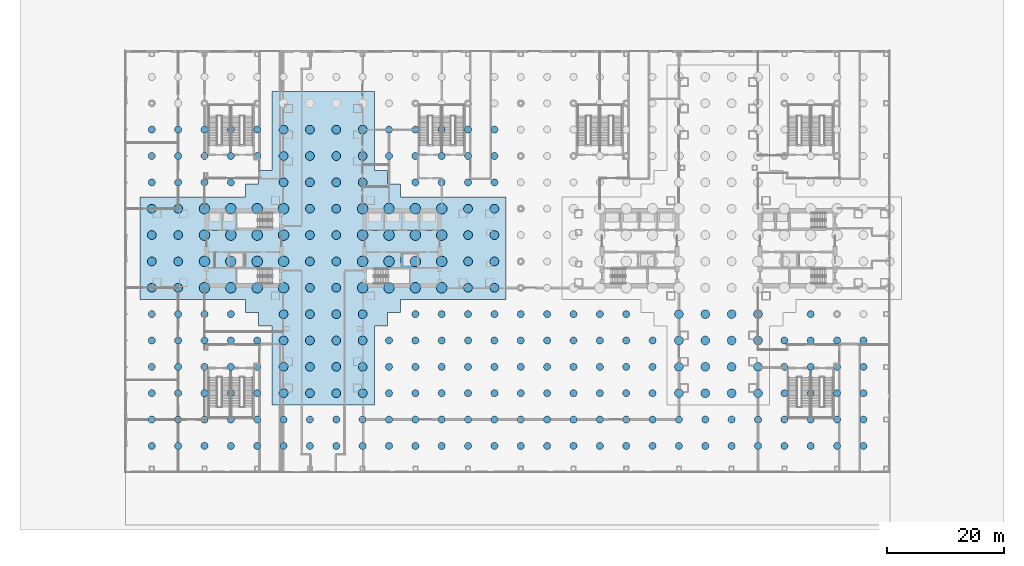
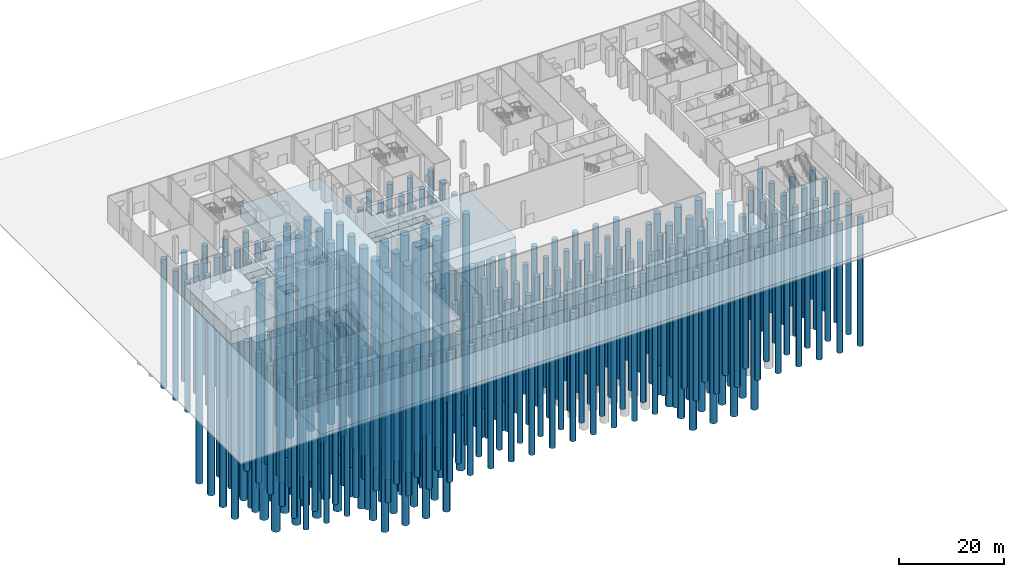
# One storey, part 1 of 37: 258 piles, 5 footings.
"""IFC4 building model written with IfcOpenShell, lengths in metres."""

from ifc_helpers import new_model, si_unit, direction, frame, origin, origin_2d, place, context, subcontext, project, spatial, polyline, circle, outline, extrude, material, layer, layer_set, material_profile, profile_set, type_object, element, save


model = new_model("IFC4")

# Units and contexts
model_context = context("Model", 3, precision=1e-05, world=origin(), true_north=direction((0.0, 1.0)))
body_context = subcontext(model_context, "Body", "Model", "MODEL_VIEW")
ifc_project = project(units=[si_unit("LENGTHUNIT", "METRE"), si_unit("AREAUNIT", "SQUARE_METRE"), si_unit("VOLUMEUNIT", "CUBIC_METRE"), si_unit("PLANEANGLEUNIT", "RADIAN"), si_unit("MASSUNIT", "GRAM", prefix="KILO")], contexts=[model_context])

# Site, building, storey
site_placement = place(None, origin())
site = spatial("IfcSite", under=ifc_project, at=site_placement, CompositionType="ELEMENT")
building_placement = place(site_placement, origin())
building = spatial("IfcBuilding", under=site, at=building_placement, Name="Shamsa Quay Exchange Towers", CompositionType="ELEMENT")
storey_placement = place(building_placement, origin())
storey = spatial("IfcBuildingStorey", under=building, at=storey_placement, Name="L00", CompositionType="ELEMENT", Elevation=0.0)

# Piles
ifc_material = material(Name="Concrete C40/50", Category="concrete")
ifc_material_profile_1 = material_profile(ifc_material, circle(Radius=0.60009765625, at=origin_2d()), Name="BP1200")
ifc_profile_set_1 = profile_set([ifc_material_profile_1], Name="Concrete C40/50")
pile_type_1 = type_object("IfcPileType", Name="Bored pile 1200", PredefinedType="BORED", material=ifc_profile_set_1)
for number, where, z_axis, x_axis, name in (
    (1, (-63.0, -33.75, -1.550048828125), (0.0, 0.0, -1.0), (1.0, 0.0, 0.0), "Bored pile PD1 1"),
    (2, (-63.0, -29.25, -1.550048828125), (0.0, 0.0, -1.0), (1.0, 0.0, 0.0), "Bored pile PD1 2"),
    (3, (-63.0, -24.75, -1.550048828125), (0.0, 0.0, -1.0), (1.0, 0.0, 0.0), "Bored pile PD1 3"),
    (4, (-63.0, -20.25, -1.550048828125), (0.0, 0.0, -1.0), (1.0, 0.0, 0.0), "Bored pile PD1 4"),
    (5, (-63.0, -15.75, -1.550048828125), (0.0, 0.0, -1.0), (1.0, 0.0, 0.0), "Bored pile PD1 5"),
    (6, (-63.0, -11.25, -1.550048828125), (0.0, 0.0, -1.0), (1.0, 0.0, 0.0), "Bored pile PD1 6"),
    (7, (-63.0, 11.25, -1.550048828125), (0.0, 0.0, -1.0), (1.0, 0.0, 0.0), "Bored pile PD1 7"),
    (8, (-63.0, 15.75, -1.550048828125), (0.0, 0.0, -1.0), (1.0, 0.0, 0.0), "Bored pile PD1 8"),
    (9, (-63.0, 20.25, -1.550048828125), (0.0, 0.0, -1.0), (1.0, 0.0, 0.0), "Bored pile PD1 9"),
    (10, (-58.5, -33.75, -1.550048828125), (0.0, 0.0, -1.0), (1.0, 0.0, 0.0), "Bored pile PD1 12"),
    (11, (-58.5, -29.25, -1.550048828125), (0.0, 0.0, -1.0), (1.0, 0.0, 0.0), "Bored pile PD1 13"),
    (12, (-58.5, -24.75, -1.550048828125), (0.0, 0.0, -1.0), (1.0, 0.0, 0.0), "Bored pile PD1 14"),
    (13, (-58.5, -20.25, -1.550048828125), (0.0, 0.0, -1.0), (1.0, 0.0, 0.0), "Bored pile PD1 15"),
    (14, (-58.5, -15.75, -1.550048828125), (0.0, 0.0, -1.0), (1.0, 0.0, 0.0), "Bored pile PD1 16"),
    (15, (-58.5, -11.25, -1.550048828125), (0.0, 0.0, -1.0), (1.0, 0.0, 0.0), "Bored pile PD1 17"),
    (16, (-58.5, 11.25, -1.550048828125), (0.0, 0.0, -1.0), (1.0, 0.0, 0.0), "Bored pile PD1 18"),
    (17, (-58.5, 15.75, -1.550048828125), (0.0, 0.0, -1.0), (1.0, 0.0, 0.0), "Bored pile PD1 19"),
    (18, (-58.5, 20.25, -1.550048828125), (0.0, 0.0, -1.0), (1.0, 0.0, 0.0), "Bored pile PD1 20"),
    (19, (-54.0, -33.75, -1.550048828125), (0.0, 0.0, -1.0), (1.0, 0.0, 0.0), "Bored pile PD1 23"),
    (20, (-54.0, -29.25, -1.550048828125), (0.0, 0.0, -1.0), (1.0, 0.0, 0.0), "Bored pile PD1 24"),
    (21, (-54.0, -24.75, -1.550048828125), (0.0, 0.0, -1.0), (1.0, 0.0, 0.0), "Bored pile PD1 25"),
    (22, (-54.0, -20.25, -1.550048828125), (0.0, 0.0, -1.0), (1.0, 0.0, 0.0), "Bored pile PD1 26"),
    (23, (-54.0, -15.75, -1.550048828125), (0.0, 0.0, -1.0), (1.0, 0.0, 0.0), "Bored pile PD1 27"),
    (24, (-54.0, -11.25, -1.550048828125), (0.0, 0.0, -1.0), (1.0, 0.0, 0.0), "Bored pile PD1 28"),
    (25, (-54.0, 11.25, -1.550048828125), (0.0, 0.0, -1.0), (1.0, 0.0, 0.0), "Bored pile PD1 29"),
    (26, (-54.0, 15.75, -1.550048828125), (0.0, 0.0, -1.0), (1.0, 0.0, 0.0), "Bored pile PD1 30"),
    (27, (-54.0, 20.25, -1.550048828125), (0.0, 0.0, -1.0), (1.0, 0.0, 0.0), "Bored pile PD1 31"),
    (28, (-49.5, -33.75, -1.550048828125), (0.0, 0.0, -1.0), (1.0, 0.0, 0.0), "Bored pile PD1 34"),
    (29, (-49.5, -29.25, -1.550048828125), (0.0, 0.0, -1.0), (1.0, 0.0, 0.0), "Bored pile PD1 35"),
    (30, (-49.5, -24.75, -1.550048828125), (0.0, 0.0, -1.0), (1.0, 0.0, 0.0), "Bored pile PD1 36"),
    (31, (-49.5, -20.25, -1.550048828125), (0.0, 0.0, -1.0), (1.0, 0.0, 0.0), "Bored pile PD1 37"),
    (32, (-49.5, -15.75, -1.550048828125), (0.0, 0.0, -1.0), (1.0, 0.0, 0.0), "Bored pile PD1 38"),
    (33, (-49.5, -11.25, -1.550048828125), (0.0, 0.0, -1.0), (1.0, 0.0, 0.0), "Bored pile PD1 39"),
    (34, (-49.5, 11.25, -1.550048828125), (0.0, 0.0, -1.0), (1.0, 0.0, 0.0), "Bored pile PD1 40"),
    (35, (-49.5, 15.75, -1.550048828125), (0.0, 0.0, -1.0), (1.0, 0.0, 0.0), "Bored pile PD1 41"),
    (36, (-49.5, 20.25, -1.550048828125), (0.0, 0.0, -1.0), (1.0, 0.0, 0.0), "Bored pile PD1 42"),
    (37, (-45.0, -33.75, -1.550048828125), (0.0, 0.0, -1.0), (1.0, 0.0, 0.0), "Bored pile PD1 45"),
    (38, (-45.0, -29.25, -1.550048828125), (0.0, 0.0, -1.0), (1.0, 0.0, 0.0), "Bored pile PD1 46"),
    (39, (-45.0, -24.75, -1.550048828125), (0.0, 0.0, -1.0), (1.0, 0.0, 0.0), "Bored pile PD1 47"),
    (40, (-45.0, -20.25, -1.550048828125), (0.0, 0.0, -1.0), (1.0, 0.0, 0.0), "Bored pile PD1 48"),
    (41, (-45.0, -15.75, -1.550048828125), (0.0, 0.0, -1.0), (1.0, 0.0, 0.0), "Bored pile PD1 49"),
    (42, (-45.0, 15.75, -1.550048828125), (0.0, 0.0, -1.0), (1.0, 0.0, 0.0), "Bored pile PD1 50"),
    (43, (-45.0, 20.25, -1.550048828125), (0.0, 0.0, -1.0), (1.0, 0.0, 0.0), "Bored pile PD1 51"),
    (44, (-40.5, -33.75, -1.550048828125), (0.0, 0.0, -1.0), (1.0, 0.0, 0.0), "Bored pile PD1 54"),
    (45, (-40.5, -29.25, -1.550048828125), (0.0, 0.0, -1.0), (1.0, 0.0, 0.0), "Bored pile PD1 55"),
    (46, (-36.0, -33.75, -1.550048828125), (0.0, 0.0, -1.0), (1.0, 0.0, 0.0), "Bored pile PD1 57"),
    (47, (-36.0, -29.25, -1.550048828125), (0.0, 0.0, -1.0), (1.0, 0.0, 0.0), "Bored pile PD1 58"),
    (48, (-31.5, -33.75, -1.550048828125), (0.0, 0.0, -1.0), (1.0, 0.0, 0.0), "Bored pile PD1 60"),
    (49, (-31.5, -29.25, -1.550048828125), (0.0, 0.0, -1.0), (1.0, 0.0, 0.0), "Bored pile PD1 61"),
    (50, (-27.0, -33.75, -1.550048828125), (0.0, 0.0, -1.0), (1.0, 0.0, 0.0), "Bored pile PD1 63"),
    (51, (-27.0, -29.25, -1.550048828125), (0.0, 0.0, -1.0), (1.0, 0.0, 0.0), "Bored pile PD1 64"),
    (52, (-22.5, -33.75, -1.550048828125), (0.0, 0.0, -1.0), (1.0, 0.0, 0.0), "Bored pile PD1 66"),
    (53, (-22.5, -29.25, -1.550048828125), (0.0, 0.0, -1.0), (1.0, 0.0, 0.0), "Bored pile PD1 67"),
    (54, (-22.5, -24.75, -1.550048828125), (0.0, 0.0, -1.0), (1.0, 0.0, 0.0), "Bored pile PD1 68"),
    (55, (-22.5, -20.25, -1.550048828125), (0.0, 0.0, -1.0), (1.0, 0.0, 0.0), "Bored pile PD1 69"),
    (56, (-22.5, -15.75, -1.550048828125), (0.0, 0.0, -1.0), (1.0, 0.0, 0.0), "Bored pile PD1 70"),
    (57, (-22.5, 15.75, -1.550048828125), (0.0, 0.0, -1.0), (1.0, 0.0, 0.0), "Bored pile PD1 71"),
    (58, (-22.5, 20.25, -1.550048828125), (0.0, 0.0, -1.0), (1.0, 0.0, 0.0), "Bored pile PD1 72"),
    (59, (-18.0, -33.75, -1.550048828125), (0.0, 0.0, -1.0), (1.0, 0.0, 0.0), "Bored pile PD1 75"),
    (60, (-18.0, -29.25, -1.550048828125), (0.0, 0.0, -1.0), (1.0, 0.0, 0.0), "Bored pile PD1 76"),
    (61, (-18.0, -24.75, -1.550048828125), (0.0, 0.0, -1.0), (1.0, 0.0, 0.0), "Bored pile PD1 77"),
    (62, (-18.0, -20.25, -1.550048828125), (0.0, 0.0, -1.0), (1.0, 0.0, 0.0), "Bored pile PD1 78"),
    (63, (-18.0, -15.75, -1.550048828125), (0.0, 0.0, -1.0), (1.0, 0.0, 0.0), "Bored pile PD1 79"),
    (64, (-18.0, -11.25, -1.550048828125), (0.0, 0.0, -1.0), (1.0, 0.0, 0.0), "Bored pile PD1 80"),
    (65, (-18.0, 11.25, -1.550048828125), (0.0, 0.0, -1.0), (1.0, 0.0, 0.0), "Bored pile PD1 81"),
    (66, (-18.0, 15.75, -1.550048828125), (0.0, 0.0, -1.0), (1.0, 0.0, 0.0), "Bored pile PD1 82"),
    (67, (-18.0, 20.25, -1.550048828125), (0.0, 0.0, -1.0), (1.0, 0.0, 0.0), "Bored pile PD1 83"),
    (68, (-13.5, -33.75, -1.550048828125), (0.0, 0.0, -1.0), (1.0, 0.0, 0.0), "Bored pile PD1 86"),
    (69, (-13.5, -29.25, -1.550048828125), (0.0, 0.0, -1.0), (1.0, 0.0, 0.0), "Bored pile PD1 87"),
    (70, (-13.5, -24.75, -1.550048828125), (0.0, 0.0, -1.0), (1.0, 0.0, 0.0), "Bored pile PD1 88"),
    (71, (-13.5, -20.25, -1.550048828125), (0.0, 0.0, -1.0), (1.0, 0.0, 0.0), "Bored pile PD1 89"),
    (72, (-13.5, -15.75, -1.550048828125), (0.0, 0.0, -1.0), (1.0, 0.0, 0.0), "Bored pile PD1 90"),
    (73, (-13.5, -11.25, -1.550048828125), (0.0, 0.0, -1.0), (1.0, 0.0, 0.0), "Bored pile PD1 91"),
    (74, (-13.5, 11.25, -1.550048828125), (0.0, 0.0, -1.0), (1.0, 0.0, 0.0), "Bored pile PD1 92"),
    (75, (-13.5, 15.75, -1.550048828125), (0.0, 0.0, -1.0), (1.0, 0.0, 0.0), "Bored pile PD1 93"),
    (76, (-13.5, 20.25, -1.550048828125), (0.0, 0.0, -1.0), (1.0, 0.0, 0.0), "Bored pile PD1 94"),
    (77, (-9.0, -33.75, -1.550048828125), (0.0, 0.0, -1.0), (1.0, 0.0, 0.0), "Bored pile PD1 97"),
    (78, (-9.0, -29.25, -1.550048828125), (0.0, 0.0, -1.0), (1.0, 0.0, 0.0), "Bored pile PD1 98"),
    (79, (-9.0, -24.75, -1.550048828125), (0.0, 0.0, -1.0), (1.0, 0.0, 0.0), "Bored pile PD1 99"),
    (80, (-9.0, -20.25, -1.550048828125), (0.0, 0.0, -1.0), (1.0, 0.0, 0.0), "Bored pile PD1 100"),
    (81, (-9.0, -15.75, -1.550048828125), (0.0, 0.0, -1.0), (1.0, 0.0, 0.0), "Bored pile PD1 101"),
    (82, (-9.0, -11.25, -1.550048828125), (0.0, 0.0, -1.0), (1.0, 0.0, 0.0), "Bored pile PD1 102"),
    (83, (-9.0, 11.25, -1.550048828125), (0.0, 0.0, -1.0), (1.0, 0.0, 0.0), "Bored pile PD1 103"),
    (84, (-9.0, 15.75, -1.550048828125), (0.0, 0.0, -1.0), (1.0, 0.0, 0.0), "Bored pile PD1 104"),
    (85, (-9.0, 20.25, -1.550048828125), (0.0, 0.0, -1.0), (1.0, 0.0, 0.0), "Bored pile PD1 105"),
    (86, (-4.5, -33.75, -1.550048828125), (0.0, 0.0, -1.0), (1.0, 0.0, 0.0), "Bored pile PD1 108"),
    (87, (-4.5, -29.25, -1.550048828125), (0.0, 0.0, -1.0), (1.0, 0.0, 0.0), "Bored pile PD1 109"),
    (88, (-4.5, -24.75, -1.550048828125), (0.0, 0.0, -1.0), (1.0, 0.0, 0.0), "Bored pile PD1 110"),
    (89, (-4.5, -20.25, -1.550048828125), (0.0, 0.0, -1.0), (1.0, 0.0, 0.0), "Bored pile PD1 111"),
    (90, (-4.5, -15.75, -1.550048828125), (0.0, 0.0, -1.0), (1.0, 0.0, 0.0), "Bored pile PD1 112"),
    (91, (-4.5, -11.25, -1.550048828125), (0.0, 0.0, -1.0), (1.0, 0.0, 0.0), "Bored pile PD1 113"),
    (92, (-4.5, 11.25, -1.550048828125), (0.0, 0.0, -1.0), (1.0, 0.0, 0.0), "Bored pile PD1 114"),
    (93, (-4.5, 15.75, -1.550048828125), (0.0, 0.0, -1.0), (1.0, 0.0, 0.0), "Bored pile PD1 115"),
    (94, (-4.5, 20.25, -1.550048828125), (0.0, 0.0, -1.0), (1.0, 0.0, 0.0), "Bored pile PD1 116"),
    (95, (0.0, -33.75, -1.550048828125), (0.0, 0.0, -1.0), (1.0, 0.0, 0.0), "Bored pile PD1 119"),
    (96, (0.0, -29.25, -1.550048828125), (0.0, 0.0, -1.0), (1.0, 0.0, 0.0), "Bored pile PD1 120"),
    (97, (0.0, -24.75, -1.550048828125), (0.0, 0.0, -1.0), (1.0, 0.0, 0.0), "Bored pile PD1 121"),
    (98, (0.0, -20.25, -1.550048828125), (0.0, 0.0, -1.0), (1.0, 0.0, 0.0), "Bored pile PD1 122"),
    (99, (0.0, -15.75, -1.550048828125), (0.0, 0.0, -1.0), (1.0, 0.0, 0.0), "Bored pile PD1 123"),
    (100, (0.0, -11.25, -1.550048828125), (0.0, 0.0, -1.0), (1.0, 0.0, 0.0), "Bored pile PD1 124"),
    (101, (4.5, -33.75, -1.550048828125), (0.0, 0.0, -1.0), (1.0, 0.0, 0.0), "Bored pile PD1 134"),
    (102, (4.5, -29.25, -1.550048828125), (0.0, 0.0, -1.0), (1.0, 0.0, 0.0), "Bored pile PD1 135"),
    (103, (4.5, -24.75, -1.550048828125), (0.0, 0.0, -1.0), (1.0, 0.0, 0.0), "Bored pile PD1 136"),
    (104, (4.5, -20.25, -1.550048828125), (0.0, 0.0, -1.0), (1.0, 0.0, 0.0), "Bored pile PD1 137"),
    (105, (4.5, -15.75, -1.550048828125), (0.0, 0.0, -1.0), (1.0, 0.0, 0.0), "Bored pile PD1 138"),
    (106, (4.5, -11.25, -1.550048828125), (0.0, 0.0, -1.0), (1.0, 0.0, 0.0), "Bored pile PD1 139"),
    (107, (9.0, -33.75, -1.550048828125), (0.0, 0.0, -1.0), (1.0, 0.0, 0.0), "Bored pile PD1 149"),
    (108, (9.0, -29.25, -1.550048828125), (0.0, 0.0, -1.0), (1.0, 0.0, 0.0), "Bored pile PD1 150"),
    (109, (9.0, -24.75, -1.550048828125), (0.0, 0.0, -1.0), (1.0, 0.0, 0.0), "Bored pile PD1 151"),
    (110, (9.0, -20.25, -1.550048828125), (0.0, 0.0, -1.0), (1.0, 0.0, 0.0), "Bored pile PD1 152"),
    (111, (9.0, -15.75, -1.550048828125), (0.0, 0.0, -1.0), (1.0, 0.0, 0.0), "Bored pile PD1 153"),
    (112, (9.0, -11.25, -1.550048828125), (0.0, 0.0, -1.0), (1.0, 0.0, 0.0), "Bored pile PD1 154"),
    (113, (13.5, -33.75, -1.550048828125), (0.0, 0.0, -1.0), (1.0, 0.0, 0.0), "Bored pile PD1 160"),
    (114, (13.5, -29.25, -1.550048828125), (0.0, 0.0, -1.0), (1.0, 0.0, 0.0), "Bored pile PD1 161"),
    (115, (13.5, -24.75, -1.550048828125), (0.0, 0.0, -1.0), (1.0, 0.0, 0.0), "Bored pile PD1 162"),
    (116, (13.5, -20.25, -1.550048828125), (0.0, 0.0, -1.0), (1.0, 0.0, 0.0), "Bored pile PD1 163"),
    (117, (13.5, -15.75, -1.550048828125), (0.0, 0.0, -1.0), (1.0, 0.0, 0.0), "Bored pile PD1 164"),
    (118, (13.5, -11.25, -1.550048828125), (0.0, 0.0, -1.0), (1.0, 0.0, 0.0), "Bored pile PD1 165"),
    (119, (18.0, -33.75, -1.550048828125), (0.0, 0.0, -1.0), (1.0, 0.0, 0.0), "Bored pile PD1 171"),
    (120, (18.0, -29.25, -1.550048828125), (0.0, 0.0, -1.0), (1.0, 0.0, 0.0), "Bored pile PD1 172"),
    (121, (18.0, -24.75, -1.550048828125), (0.0, 0.0, -1.0), (1.0, 0.0, 0.0), "Bored pile PD1 173"),
    (122, (18.0, -20.25, -1.550048828125), (0.0, 0.0, -1.0), (1.0, 0.0, 0.0), "Bored pile PD1 174"),
    (123, (18.0, -15.75, -1.550048828125), (0.0, 0.0, -1.0), (1.0, 0.0, 0.0), "Bored pile PD1 175"),
    (124, (18.0, -11.25, -1.550048828125), (0.0, 0.0, -1.0), (1.0, 0.0, 0.0), "Bored pile PD1 176"),
    (125, (22.5, -33.75, -1.550048828125), (0.0, 0.0, -1.0), (1.0, 0.0, 0.0), "Bored pile PD1 182"),
    (126, (22.5, -29.25, -1.550048828125), (0.0, 0.0, -1.0), (1.0, 0.0, 0.0), "Bored pile PD1 183"),
    (127, (22.5, -24.75, -1.550048828125), (0.0, 0.0, -1.0), (1.0, 0.0, 0.0), "Bored pile PD1 184"),
    (128, (22.5, -20.25, -1.550048828125), (0.0, 0.0, -1.0), (1.0, 0.0, 0.0), "Bored pile PD1 185"),
    (129, (22.5, -15.75, -1.550048828125), (0.0, 0.0, -1.0), (1.0, 0.0, 0.0), "Bored pile PD1 186"),
    (130, (27.0, -33.75, -1.550048828125), (0.0, 0.0, -1.0), (1.0, 0.0, 0.0), "Bored pile PD1 191"),
    (131, (27.0, -29.25, -1.550048828125), (0.0, 0.0, -1.0), (1.0, 0.0, 0.0), "Bored pile PD1 192"),
    (132, (31.5, -33.75, -1.550048828125), (0.0, 0.0, -1.0), (1.0, 0.0, 0.0), "Bored pile PD1 193"),
    (133, (31.5, -29.25, -1.550048828125), (0.0, 0.0, -1.0), (1.0, 0.0, 0.0), "Bored pile PD1 194"),
    (134, (36.0, -33.75, -1.550048828125), (0.0, 0.0, -1.0), (1.0, 0.0, 0.0), "Bored pile PD1 195"),
    (135, (36.0, -29.25, -1.550048828125), (0.0, 0.0, -1.0), (1.0, 0.0, 0.0), "Bored pile PD1 196"),
    (136, (40.5, -33.75, -1.550048828125), (0.0, 0.0, -1.0), (1.0, 0.0, 0.0), "Bored pile PD1 197"),
    (137, (40.5, -29.25, -1.550048828125), (0.0, 0.0, -1.0), (1.0, 0.0, 0.0), "Bored pile PD1 198"),
    (138, (45.0, -33.75, -1.550048828125), (0.0, 0.0, -1.0), (1.0, 0.0, 0.0), "Bored pile PD1 199"),
    (139, (45.0, -29.25, -1.550048828125), (0.0, 0.0, -1.0), (1.0, 0.0, 0.0), "Bored pile PD1 200"),
    (140, (45.0, -24.75, -1.550048828125), (0.0, 0.0, -1.0), (1.0, 0.0, 0.0), "Bored pile PD1 201"),
    (141, (45.0, -20.25, -1.550048828125), (0.0, 0.0, -1.0), (1.0, 0.0, 0.0), "Bored pile PD1 202"),
    (142, (45.0, -15.75, -1.550048828125), (0.0, 0.0, -1.0), (1.0, 0.0, 0.0), "Bored pile PD1 203"),
    (143, (49.5, -33.75, -1.550048828125), (0.0, 0.0, -1.0), (1.0, 0.0, 0.0), "Bored pile PD1 208"),
    (144, (49.5, -29.25, -1.550048828125), (0.0, 0.0, -1.0), (1.0, 0.0, 0.0), "Bored pile PD1 209"),
    (145, (49.5, -24.75, -1.550048828125), (0.0, 0.0, -1.0), (1.0, 0.0, 0.0), "Bored pile PD1 210"),
    (146, (49.5, -20.25, -1.550048828125), (0.0, 0.0, -1.0), (1.0, 0.0, 0.0), "Bored pile PD1 211"),
    (147, (49.5, -15.75, -1.550048828125), (0.0, 0.0, -1.0), (1.0, 0.0, 0.0), "Bored pile PD1 212"),
    (148, (49.5, -11.25, -1.550048828125), (0.0, 0.0, -1.0), (1.0, 0.0, 0.0), "Bored pile PD1 213"),
    (149, (54.0, -33.75, -1.550048828125), (0.0, 0.0, -1.0), (1.0, 0.0, 0.0), "Bored pile PD1 219"),
    (150, (54.0, -29.25, -1.550048828125), (0.0, 0.0, -1.0), (1.0, 0.0, 0.0), "Bored pile PD1 220"),
    (151, (54.0, -24.75, -1.550048828125), (0.0, 0.0, -1.0), (1.0, 0.0, 0.0), "Bored pile PD1 221"),
    (152, (54.0, -20.25, -1.550048828125), (0.0, 0.0, -1.0), (1.0, 0.0, 0.0), "Bored pile PD1 222"),
    (153, (54.0, -15.75, -1.550048828125), (0.0, 0.0, -1.0), (1.0, 0.0, 0.0), "Bored pile PD1 223"),
    (154, (58.5, -33.75, -1.550048828125), (0.0, 0.0, -1.0), (1.0, 0.0, 0.0), "Bored pile PD1 230"),
    (155, (58.5, -29.25, -1.550048828125), (0.0, 0.0, -1.0), (1.0, 0.0, 0.0), "Bored pile PD1 231"),
    (156, (58.5, -24.75, -1.550048828125), (0.0, 0.0, -1.0), (1.0, 0.0, 0.0), "Bored pile PD1 232"),
    (157, (58.5, -20.25, -1.550048828125), (0.0, 0.0, -1.0), (1.0, 0.0, 0.0), "Bored pile PD1 233"),
    (158, (58.5, -15.75, -1.550048828125), (0.0, 0.0, -1.0), (1.0, 0.0, 0.0), "Bored pile PD1 234"),
):
    element("IfcPile", number, at=place(storey_placement, frame(where, z_axis=z_axis, x_axis=x_axis)), inside=storey, type_object=pile_type_1, Name=name, PredefinedType="BORED", context=body_context, shape_type="SweptSolid", body=[
        extrude(circle(Radius=0.60009765625, at=origin_2d()), origin(), (0.0, 0.0, 1.0), 30.0),
    ])
ifc_material_profile_2 = material_profile(ifc_material, circle(Radius=0.75, at=origin_2d()), Name="BP1500")
ifc_profile_set_2 = profile_set([ifc_material_profile_2], Name="Concrete C40/50")
pile_type_2 = type_object("IfcPileType", Name="Bored pile 1500", PredefinedType="BORED", material=ifc_profile_set_2)
for number, where, z_axis, x_axis, name in (
    (159, (-63.0, -6.75, -3.35009765625), (0.0, 0.0, -1.0), (1.0, 0.0, 0.0), "Bored pile T1 1"),
    (160, (-63.0, -2.25, -3.35009765625), (0.0, 0.0, -1.0), (1.0, 0.0, 0.0), "Bored pile T1 2"),
    (161, (-63.0, 2.25, -3.35009765625), (0.0, 0.0, -1.0), (1.0, 0.0, 0.0), "Bored pile T1 3"),
    (162, (-63.0, 6.75, -3.35009765625), (0.0, 0.0, -1.0), (1.0, 0.0, 0.0), "Bored pile T1 4"),
    (163, (-58.5, -6.75, -3.35009765625), (0.0, 0.0, -1.0), (1.0, 0.0, 0.0), "Bored pile T1 5"),
    (164, (-58.5, -2.25, -3.35009765625), (0.0, 0.0, -1.0), (1.0, 0.0, 0.0), "Bored pile T1 6"),
    (165, (-58.5, 2.25, -3.35009765625), (0.0, 0.0, -1.0), (1.0, 0.0, 0.0), "Bored pile T1 7"),
    (166, (-58.5, 6.75, -3.35009765625), (0.0, 0.0, -1.0), (1.0, 0.0, 0.0), "Bored pile T1 8"),
    (167, (-40.5, -24.75, -3.35009765625), (0.0, 0.0, -1.0), (1.0, 0.0, 0.0), "Bored pile T1 21"),
    (168, (-40.5, -20.25, -3.35009765625), (0.0, 0.0, -1.0), (1.0, 0.0, 0.0), "Bored pile T1 22"),
    (169, (-40.5, -15.75, -3.35009765625), (0.0, 0.0, -1.0), (1.0, 0.0, 0.0), "Bored pile T1 23"),
    (170, (-40.5, -11.25, -3.35009765625), (0.0, 0.0, -1.0), (1.0, 0.0, 0.0), "Bored pile T1 24"),
    (171, (-40.5, 11.25, -3.35009765625), (0.0, 0.0, -1.0), (1.0, 0.0, 0.0), "Bored pile T1 29"),
    (172, (-40.5, 15.75, -3.35009765625), (0.0, 0.0, -1.0), (1.0, 0.0, 0.0), "Bored pile T1 30"),
    (173, (-40.5, 20.25, -3.35009765625), (0.0, 0.0, -1.0), (1.0, 0.0, 0.0), "Bored pile T1 31"),
    (174, (-36.0, -24.75, -3.35009765625), (0.0, 0.0, -1.0), (1.0, 0.0, 0.0), "Bored pile T1 33"),
    (175, (-36.0, -20.25, -3.35009765625), (0.0, 0.0, -1.0), (1.0, 0.0, 0.0), "Bored pile T1 34"),
    (176, (-36.0, -15.75, -3.35009765625), (0.0, 0.0, -1.0), (1.0, 0.0, 0.0), "Bored pile T1 35"),
    (177, (-36.0, -11.25, -3.35009765625), (0.0, 0.0, -1.0), (1.0, 0.0, 0.0), "Bored pile T1 36"),
    (178, (-36.0, -6.75, -3.35009765625), (0.0, 0.0, -1.0), (1.0, 0.0, 0.0), "Bored pile T1 37"),
    (179, (-36.0, -2.25, -3.35009765625), (0.0, 0.0, -1.0), (1.0, 0.0, 0.0), "Bored pile T1 38"),
    (180, (-36.0, 2.25, -3.35009765625), (0.0, 0.0, -1.0), (1.0, 0.0, 0.0), "Bored pile T1 39"),
    (181, (-36.0, 6.75, -3.35009765625), (0.0, 0.0, -1.0), (1.0, 0.0, 0.0), "Bored pile T1 40"),
    (182, (-36.0, 11.25, -3.35009765625), (0.0, 0.0, -1.0), (1.0, 0.0, 0.0), "Bored pile T1 41"),
    (183, (-36.0, 15.75, -3.35009765625), (0.0, 0.0, -1.0), (1.0, 0.0, 0.0), "Bored pile T1 42"),
    (184, (-36.0, 20.25, -3.35009765625), (0.0, 0.0, -1.0), (1.0, 0.0, 0.0), "Bored pile T1 43"),
    (185, (-31.5, -24.75, -3.35009765625), (0.0, 0.0, -1.0), (1.0, 0.0, 0.0), "Bored pile T1 45"),
    (186, (-31.5, -20.25, -3.35009765625), (0.0, 0.0, -1.0), (1.0, 0.0, 0.0), "Bored pile T1 46"),
    (187, (-31.5, -15.75, -3.35009765625), (0.0, 0.0, -1.0), (1.0, 0.0, 0.0), "Bored pile T1 47"),
    (188, (-31.5, -11.25, -3.35009765625), (0.0, 0.0, -1.0), (1.0, 0.0, 0.0), "Bored pile T1 48"),
    (189, (-31.5, -6.75, -3.35009765625), (0.0, 0.0, -1.0), (1.0, 0.0, 0.0), "Bored pile T1 49"),
    (190, (-31.5, -2.25, -3.35009765625), (0.0, 0.0, -1.0), (1.0, 0.0, 0.0), "Bored pile T1 50"),
    (191, (-31.5, 2.25, -3.35009765625), (0.0, 0.0, -1.0), (1.0, 0.0, 0.0), "Bored pile T1 51"),
    (192, (-31.5, 6.75, -3.35009765625), (0.0, 0.0, -1.0), (1.0, 0.0, 0.0), "Bored pile T1 52"),
    (193, (-31.5, 11.25, -3.35009765625), (0.0, 0.0, -1.0), (1.0, 0.0, 0.0), "Bored pile T1 53"),
    (194, (-31.5, 15.75, -3.35009765625), (0.0, 0.0, -1.0), (1.0, 0.0, 0.0), "Bored pile T1 54"),
    (195, (-31.5, 20.25, -3.35009765625), (0.0, 0.0, -1.0), (1.0, 0.0, 0.0), "Bored pile T1 55"),
    (196, (-27.0, -24.75, -3.35009765625), (0.0, 0.0, -1.0), (1.0, 0.0, 0.0), "Bored pile T1 57"),
    (197, (-27.0, -20.25, -3.35009765625), (0.0, 0.0, -1.0), (1.0, 0.0, 0.0), "Bored pile T1 58"),
    (198, (-27.0, -15.75, -3.35009765625), (0.0, 0.0, -1.0), (1.0, 0.0, 0.0), "Bored pile T1 59"),
    (199, (-27.0, -11.25, -3.35009765625), (0.0, 0.0, -1.0), (1.0, 0.0, 0.0), "Bored pile T1 60"),
    (200, (-27.0, 11.25, -3.35009765625), (0.0, 0.0, -1.0), (1.0, 0.0, 0.0), "Bored pile T1 65"),
    (201, (-27.0, 15.75, -3.35009765625), (0.0, 0.0, -1.0), (1.0, 0.0, 0.0), "Bored pile T1 66"),
    (202, (-27.0, 20.25, -3.35009765625), (0.0, 0.0, -1.0), (1.0, 0.0, 0.0), "Bored pile T1 67"),
    (203, (-9.0, -6.75, -3.35009765625), (0.0, 0.0, -1.0), (1.0, 0.0, 0.0), "Bored pile T1 81"),
    (204, (-9.0, -2.25, -3.35009765625), (0.0, 0.0, -1.0), (1.0, 0.0, 0.0), "Bored pile T1 82"),
    (205, (-9.0, 2.25, -3.35009765625), (0.0, 0.0, -1.0), (1.0, 0.0, 0.0), "Bored pile T1 83"),
    (206, (-9.0, 6.75, -3.35009765625), (0.0, 0.0, -1.0), (1.0, 0.0, 0.0), "Bored pile T1 84"),
    (207, (-4.5, -6.75, -3.35009765625), (0.0, 0.0, -1.0), (1.0, 0.0, 0.0), "Bored pile T1 85"),
    (208, (-4.5, -2.25, -3.35009765625), (0.0, 0.0, -1.0), (1.0, 0.0, 0.0), "Bored pile T1 86"),
    (209, (-4.5, 2.25, -3.35009765625), (0.0, 0.0, -1.0), (1.0, 0.0, 0.0), "Bored pile T1 87"),
    (210, (-4.5, 6.75, -3.35009765625), (0.0, 0.0, -1.0), (1.0, 0.0, 0.0), "Bored pile T1 88"),
    (211, (27.0, -24.75, -3.35009765625), (0.0, 0.0, -1.0), (1.0, 0.0, 0.0), "Bored pile T2 17"),
    (212, (27.0, -20.25, -3.35009765625), (0.0, 0.0, -1.0), (1.0, 0.0, 0.0), "Bored pile T2 18"),
    (213, (27.0, -15.75, -3.35009765625), (0.0, 0.0, -1.0), (1.0, 0.0, 0.0), "Bored pile T2 19"),
    (214, (27.0, -11.25, -3.35009765625), (0.0, 0.0, -1.0), (1.0, 0.0, 0.0), "Bored pile T2 20"),
    (215, (31.5, -24.75, -3.35009765625), (0.0, 0.0, -1.0), (1.0, 0.0, 0.0), "Bored pile T2 30"),
    (216, (31.5, -20.25, -3.35009765625), (0.0, 0.0, -1.0), (1.0, 0.0, 0.0), "Bored pile T2 31"),
    (217, (31.5, -15.75, -3.35009765625), (0.0, 0.0, -1.0), (1.0, 0.0, 0.0), "Bored pile T2 32"),
    (218, (31.5, -11.25, -3.35009765625), (0.0, 0.0, -1.0), (1.0, 0.0, 0.0), "Bored pile T2 33"),
    (219, (36.0, -24.75, -3.35009765625), (0.0, 0.0, -1.0), (1.0, 0.0, 0.0), "Bored pile T2 43"),
    (220, (36.0, -20.25, -3.35009765625), (0.0, 0.0, -1.0), (1.0, 0.0, 0.0), "Bored pile T2 44"),
    (221, (36.0, -15.75, -3.35009765625), (0.0, 0.0, -1.0), (1.0, 0.0, 0.0), "Bored pile T2 45"),
    (222, (36.0, -11.25, -3.35009765625), (0.0, 0.0, -1.0), (1.0, 0.0, 0.0), "Bored pile T2 46"),
    (223, (40.5, -24.75, -3.35009765625), (0.0, 0.0, -1.0), (1.0, 0.0, 0.0), "Bored pile T2 56"),
    (224, (40.5, -20.25, -3.35009765625), (0.0, 0.0, -1.0), (1.0, 0.0, 0.0), "Bored pile T2 57"),
    (225, (40.5, -15.75, -3.35009765625), (0.0, 0.0, -1.0), (1.0, 0.0, 0.0), "Bored pile T2 58"),
    (226, (40.5, -11.25, -3.35009765625), (0.0, 0.0, -1.0), (1.0, 0.0, 0.0), "Bored pile T2 59"),
):
    element("IfcPile", number, at=place(storey_placement, frame(where, z_axis=z_axis, x_axis=x_axis)), inside=storey, type_object=pile_type_2, Name=name, PredefinedType="BORED", context=body_context, shape_type="SweptSolid", body=[
        extrude(circle(Radius=0.75, at=origin_2d()), origin(), (0.0, 0.0, 1.0), 42.0),
    ])
ifc_material_profile_3 = material_profile(ifc_material, circle(Radius=0.89990234375, at=origin_2d()), Name="BP1800")
ifc_profile_set_3 = profile_set([ifc_material_profile_3], Name="Concrete C40/50")
pile_type_3 = type_object("IfcPileType", Name="Bored pile 1800", PredefinedType="BORED", material=ifc_profile_set_3)
for number, where, z_axis, x_axis, name in (
    (227, (-54.0, -6.75, -3.35009765625), (0.0, 0.0, -1.0), (1.0, 0.0, 0.0), "Bored pile T1 9"),
    (228, (-54.0, -2.25, -3.35009765625), (0.0, 0.0, -1.0), (1.0, 0.0, 0.0), "Bored pile T1 10"),
    (229, (-54.0, 2.25, -3.35009765625), (0.0, 0.0, -1.0), (1.0, 0.0, 0.0), "Bored pile T1 11"),
    (230, (-54.0, 6.75, -3.35009765625), (0.0, 0.0, -1.0), (1.0, 0.0, 0.0), "Bored pile T1 12"),
    (231, (-49.5, -6.75, -3.35009765625), (0.0, 0.0, -1.0), (1.0, 0.0, 0.0), "Bored pile T1 13"),
    (232, (-49.5, -2.25, -3.35009765625), (0.0, 0.0, -1.0), (1.0, 0.0, 0.0), "Bored pile T1 14"),
    (233, (-49.5, 2.25, -3.35009765625), (0.0, 0.0, -1.0), (1.0, 0.0, 0.0), "Bored pile T1 15"),
    (234, (-49.5, 6.75, -3.35009765625), (0.0, 0.0, -1.0), (1.0, 0.0, 0.0), "Bored pile T1 16"),
    (235, (-45.0, -6.75, -3.35009765625), (0.0, 0.0, -1.0), (1.0, 0.0, 0.0), "Bored pile T1 17"),
    (236, (-45.0, -2.25, -3.35009765625), (0.0, 0.0, -1.0), (1.0, 0.0, 0.0), "Bored pile T1 18"),
    (237, (-45.0, 2.25, -3.35009765625), (0.0, 0.0, -1.0), (1.0, 0.0, 0.0), "Bored pile T1 19"),
    (238, (-45.0, 6.75, -3.35009765625), (0.0, 0.0, -1.0), (1.0, 0.0, 0.0), "Bored pile T1 20"),
    (239, (-40.5, -6.75, -3.35009765625), (0.0, 0.0, -1.0), (1.0, 0.0, 0.0), "Bored pile T1 25"),
    (240, (-40.5, -2.25, -3.35009765625), (0.0, 0.0, -1.0), (1.0, 0.0, 0.0), "Bored pile T1 26"),
    (241, (-40.5, 2.25, -3.35009765625), (0.0, 0.0, -1.0), (1.0, 0.0, 0.0), "Bored pile T1 27"),
    (242, (-40.5, 6.75, -3.35009765625), (0.0, 0.0, -1.0), (1.0, 0.0, 0.0), "Bored pile T1 28"),
    (243, (-27.0, -6.75, -3.35009765625), (0.0, 0.0, -1.0), (1.0, 0.0, 0.0), "Bored pile T1 61"),
    (244, (-27.0, -2.25, -3.35009765625), (0.0, 0.0, -1.0), (1.0, 0.0, 0.0), "Bored pile T1 62"),
    (245, (-27.0, 2.25, -3.35009765625), (0.0, 0.0, -1.0), (1.0, 0.0, 0.0), "Bored pile T1 63"),
    (246, (-27.0, 6.75, -3.35009765625), (0.0, 0.0, -1.0), (1.0, 0.0, 0.0), "Bored pile T1 64"),
    (247, (-22.5, -6.75, -3.35009765625), (0.0, 0.0, -1.0), (1.0, 0.0, 0.0), "Bored pile T1 69"),
    (248, (-22.5, -2.25, -3.35009765625), (0.0, 0.0, -1.0), (1.0, 0.0, 0.0), "Bored pile T1 70"),
    (249, (-22.5, 2.25, -3.35009765625), (0.0, 0.0, -1.0), (1.0, 0.0, 0.0), "Bored pile T1 71"),
    (250, (-22.5, 6.75, -3.35009765625), (0.0, 0.0, -1.0), (1.0, 0.0, 0.0), "Bored pile T1 72"),
    (251, (-18.0, -6.75, -3.35009765625), (0.0, 0.0, -1.0), (1.0, 0.0, 0.0), "Bored pile T1 73"),
    (252, (-18.0, -2.25, -3.35009765625), (0.0, 0.0, -1.0), (1.0, 0.0, 0.0), "Bored pile T1 74"),
    (253, (-18.0, 2.25, -3.35009765625), (0.0, 0.0, -1.0), (1.0, 0.0, 0.0), "Bored pile T1 75"),
    (254, (-18.0, 6.75, -3.35009765625), (0.0, 0.0, -1.0), (1.0, 0.0, 0.0), "Bored pile T1 76"),
    (255, (-13.5, -6.75, -3.35009765625), (0.0, 0.0, -1.0), (1.0, 0.0, 0.0), "Bored pile T1 77"),
    (256, (-13.5, -2.25, -3.35009765625), (0.0, 0.0, -1.0), (1.0, 0.0, 0.0), "Bored pile T1 78"),
    (257, (-13.5, 2.25, -3.35009765625), (0.0, 0.0, -1.0), (1.0, 0.0, 0.0), "Bored pile T1 79"),
    (258, (-13.5, 6.75, -3.35009765625), (0.0, 0.0, -1.0), (1.0, 0.0, 0.0), "Bored pile T1 80"),
):
    element("IfcPile", number, at=place(storey_placement, frame(where, z_axis=z_axis, x_axis=x_axis)), inside=storey, type_object=pile_type_3, Name=name, PredefinedType="BORED", context=body_context, shape_type="SweptSolid", body=[
        extrude(circle(Radius=0.89990234375, at=origin_2d()), origin(), (0.0, 0.0, 1.0), 48.0),
    ])

# Footings
ifc_layer_1 = layer(ifc_material, 1.550048828125)
ifc_layer_set_1 = layer_set([ifc_layer_1], Name="Lift pit slab 1550")
footing_type_1 = type_object("IfcFootingType", Name="Lift pit slab 1550", PredefinedType="USERDEFINED", material=ifc_layer_set_1)
footing_1_placement = place(storey_placement, frame((0.0, 0.0, -3.35009765625)))
element("IfcFooting", 259, at=footing_1_placement, inside=storey, type_object=footing_type_1, Name="Lift pit slab T1A-1", ObjectType="RAFT", PredefinedType="USERDEFINED", context=body_context, shape_type="SweptSolid", body=[
    extrude(outline(polyline([(-26.5, 6.25), (-26.5, 3.050048828125), (-14.0, 3.050048828125), (-14.0, 6.25), (-26.5, 6.25)])), origin(), (0.0, 0.0, 1.0), 1.550048828125),
])
footing_2_placement = place(storey_placement, frame((0.0, 0.0, -3.35009765625)))
element("IfcFooting", 260, at=footing_2_placement, inside=storey, type_object=footing_type_1, Name="Lift pit slab T1A-2", ObjectType="RAFT", PredefinedType="USERDEFINED", context=body_context, shape_type="SweptSolid", body=[
    extrude(outline(polyline([(-17.5, -0.550048828125), (-20.550048828125, -0.550048828125), (-20.550048828125, -3.449951171875), (-17.5, -3.449951171875), (-17.5, -0.550048828125)])), origin(), (0.0, 0.0, 1.0), 1.550048828125),
])
footing_3_placement = place(storey_placement, frame((0.0, 0.0, -3.35009765625)))
element("IfcFooting", 261, at=footing_3_placement, inside=storey, type_object=footing_type_1, Name="Lift pit slab T1B-1", ObjectType="RAFT", PredefinedType="USERDEFINED", context=body_context, shape_type="SweptSolid", body=[
    extrude(outline(polyline([(-53.5, 3.050048828125), (-48.550048828125, 3.050048828125), (-48.550048828125, 6.25), (-53.5, 6.25), (-53.5, 3.050048828125)])), origin(), (0.0, 0.0, 1.0), 1.550048828125),
])
footing_4_placement = place(storey_placement, frame((0.0, 0.0, -3.35009765625)))
element("IfcFooting", 262, at=footing_4_placement, inside=storey, type_object=footing_type_1, Name="Lift pit slab T1B-2", ObjectType="RAFT", PredefinedType="USERDEFINED", context=body_context, shape_type="SweptSolid", body=[
    extrude(outline(polyline([(-50.0, -3.449951171875), (-46.949951171875, -3.449951171875), (-46.949951171875, -0.550048828125), (-50.0, -0.550048828125), (-50.0, -3.449951171875)])), origin(), (0.0, 0.0, 1.0), 1.550048828125),
])
ifc_layer_2 = layer(ifc_material, 3.0)
ifc_layer_set_2 = layer_set([ifc_layer_2], Name="Piled raft 3000")
footing_type_2 = type_object("IfcFootingType", Name="Piled raft 3000", PredefinedType="USERDEFINED", material=ifc_layer_set_2)
footing_5_placement = place(storey_placement, frame((0.0, 0.0, -3.35009765625)))
element("IfcFooting", 263, at=footing_5_placement, inside=storey, type_object=footing_type_2, Name="Piled raft T1", ObjectType="RAFT", PredefinedType="USERDEFINED", context=body_context, shape_type="SweptSolid", body=[
    extrude(outline(polyline([(-47.0, -11.0), (-44.75, -11.0), (-44.75, -13.25), (-42.5, -13.25), (-42.5, -26.75), (-25.0, -26.75), (-25.0, -13.25), (-22.75, -13.25), (-22.75, -11.0), (-20.5, -11.0), (-20.5, -8.75), (-2.5, -8.75), (-2.5, 8.75), (-20.5, 8.75), (-20.5, 11.0), (-22.75, 11.0), (-22.75, 13.25), (-25.0, 13.25), (-25.0, 26.75), (-42.5, 26.75), (-42.5, 13.25), (-44.75, 13.25), (-44.75, 11.0), (-47.0, 11.0), (-47.0, 8.75), (-65.0, 8.75), (-65.0, -8.75), (-47.0, -8.75), (-47.0, -11.0)]), holes=[polyline([(-46.949951171875, -0.550048828125), (-50.0, -0.550048828125), (-50.0, -3.449951171875), (-46.949951171875, -3.449951171875), (-46.949951171875, -0.550048828125)]), polyline([(-20.550048828125, -3.449951171875), (-17.5, -3.449951171875), (-17.5, -0.550048828125), (-20.550048828125, -0.550048828125), (-20.550048828125, -3.449951171875)]), polyline([(-48.550048828125, 6.25), (-53.5, 6.25), (-53.5, 3.050048828125), (-48.550048828125, 3.050048828125), (-48.550048828125, 6.25)]), polyline([(-14.0, 3.050048828125), (-14.0, 6.25), (-26.5, 6.25), (-26.5, 3.050048828125), (-14.0, 3.050048828125)])]), origin(), (0.0, 0.0, 1.0), 3.0),
])

save(model, "model.ifc")
